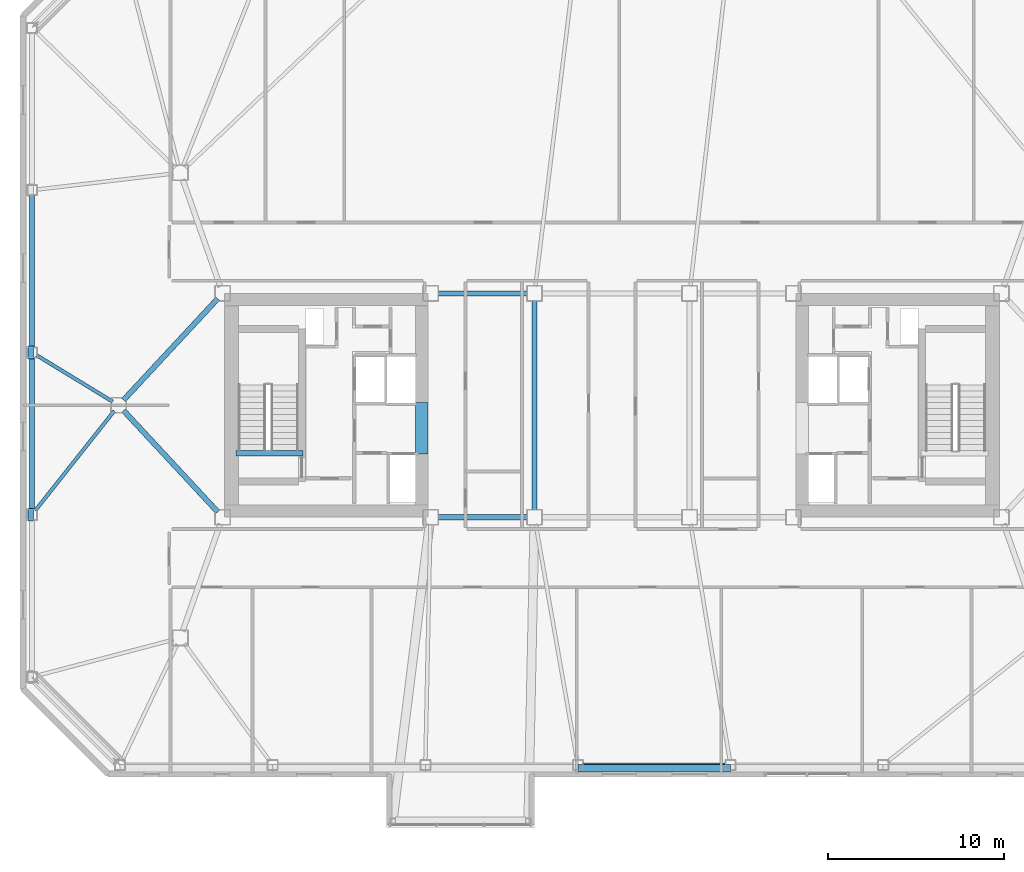
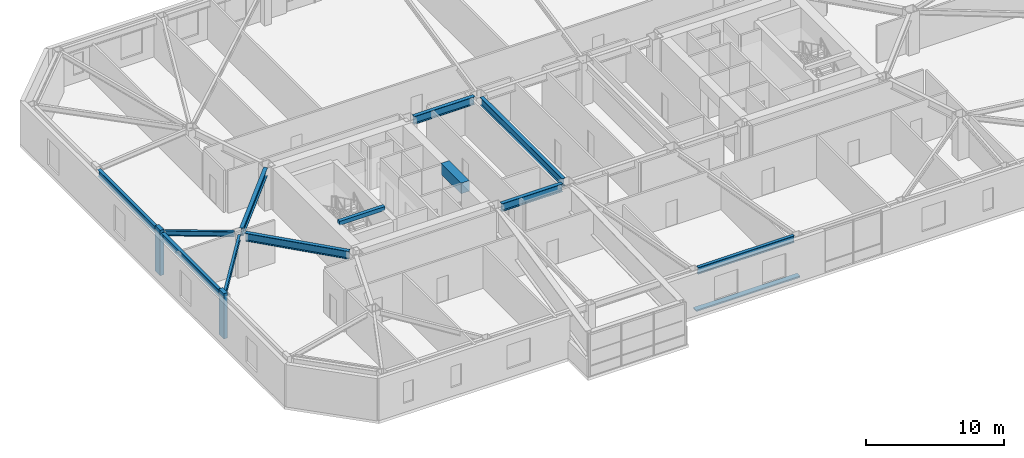
# One storey, part 4 of 19: 12 beams, 3 members.
"""IFC4 building model written with IfcOpenShell, lengths in metres."""

from ifc_helpers import new_model, si_unit, direction, frame, origin, origin_2d, place, context, subcontext, project, spatial, rectangle, i_section, extrude, material, material_profile, profile_set, type_object, element, save


model = new_model("IFC4")

# Units and contexts
model_context = context("Model", 3, precision=1e-05, world=origin(), true_north=direction((0.0, 1.0)))
body_context = subcontext(model_context, "Body", "Model", "MODEL_VIEW")
ifc_project = project(units=[si_unit("LENGTHUNIT", "METRE"), si_unit("AREAUNIT", "SQUARE_METRE"), si_unit("VOLUMEUNIT", "CUBIC_METRE"), si_unit("PLANEANGLEUNIT", "RADIAN"), si_unit("MASSUNIT", "GRAM", prefix="KILO")], contexts=[model_context])

# Site, building, storey
site_placement = place(None, origin())
site = spatial("IfcSite", under=ifc_project, at=site_placement, CompositionType="ELEMENT")
building_placement = place(site_placement, origin())
building = spatial("IfcBuilding", under=site, at=building_placement, Name="Tavrogorsk Clinical Tower", CompositionType="ELEMENT")
storey_placement = place(building_placement, frame((0.0, 0.0, 156.199951171875)))
storey = spatial("IfcBuildingStorey", under=building, at=storey_placement, Name="L35", CompositionType="ELEMENT", Elevation=156.199951171875)

# Member
ifc_material_1 = material(Name="Anodised aluminium alloy AW-6063", Category="aluminium")
ifc_material_profile_1 = material_profile(ifc_material_1, rectangle(XDim=0.449951171875, YDim=0.1201171875, at=origin_2d()), Name="ALU-SUNSHADE-450x120")
ifc_profile_set_1 = profile_set([ifc_material_profile_1], Name="Anodised aluminium alloy AW-6063")
member_type_1 = type_object("IfcMemberType", Name="ChicagoSunshade_450x120", PredefinedType="USERDEFINED", material=ifc_profile_set_1)
member_placement = place(storey_placement, frame((-1.931396484375, -20.60009765625, 0.179931640625), z_axis=(1.0, 0.0, 0.0), x_axis=(0.0, 1.0, 0.0)))
element("IfcMember", 1, at=member_placement, inside=storey, type_object=member_type_1, Name="L35 South Aluminium Sunshade S4", ObjectType="SUNSHADE", PredefinedType="USERDEFINED", context=body_context, shape_type="SweptSolid", body=[
    extrude(rectangle(XDim=0.449951171875, YDim=0.1201171875, at=origin_2d()), origin(), (0.0, 0.0, 1.0), 8.662841796875),
])

# Beams
ifc_material_2 = material(Name="Concrete B80", Category="concrete")
ifc_material_profile_2 = material_profile(ifc_material_2, rectangle(XDim=0.699951171875, YDim=0.949951171875, at=origin_2d()), Name="RC-CB-700x950")
ifc_profile_set_2 = profile_set([ifc_material_profile_2], Name="Concrete B80")
beam_type_1 = type_object("IfcBeamType", Name="CouplingBeam_RC700x950", PredefinedType="LINTEL", material=ifc_profile_set_2)
beam_1_placement = place(storey_placement, frame((-10.800048828125, -2.75, 3.26513671875), z_axis=(0.0, 1.0, 0.0), x_axis=(-1.0, 0.0, 0.0)))
element("IfcBeam", 2, at=beam_1_placement, inside=storey, type_object=beam_type_1, Name="L35 Core West Coupling Beam", PredefinedType="LINTEL", context=body_context, shape_type="SweptSolid", body=[
    extrude(rectangle(XDim=0.699951171875, YDim=0.949951171875, at=origin_2d()), origin(), (0.0, 0.0, 1.0), 2.89990234375),
])
ifc_material_3 = material(Name="Structural steel S355", Category="steel")
ifc_material_profile_3 = material_profile(ifc_material_3, i_section(OverallWidth=0.199951171875, OverallDepth=0.449951171875, WebThickness=0.011474609375, FlangeThickness=0.01806640625, at=origin_2d()), Name="B-450x200x11.5x18")
ifc_profile_set_3 = profile_set([ifc_material_profile_3], Name="Structural steel S355")
beam_type_2 = type_object("IfcBeamType", Name="FloorBeam_B450", PredefinedType="BEAM", material=ifc_profile_set_3)
beam_2_placement = place(storey_placement, frame((-28.35009765625, 0.21337890625, 3.51513671875), z_axis=(-0.853789879369, 0.520617750262, 0.0), x_axis=(-0.520617750262, -0.853789879369, 0.0)))
element("IfcBeam", 3, at=beam_2_placement, inside=storey, type_object=beam_type_2, Name="L35 Radial Floor Beam W3", PredefinedType="BEAM", context=body_context, shape_type="SweptSolid", body=[
    extrude(i_section(OverallWidth=0.199951171875, OverallDepth=0.449951171875, WebThickness=0.011474609375, FlangeThickness=0.01806640625, at=origin_2d()), origin(), (0.0, 0.0, 1.0), 5.04443359375),
])
beam_3_placement = place(storey_placement, frame((-28.254638671875, -0.3212890625, 3.51513671875), z_axis=(-0.620993662543, -0.783815584868, 0.0), x_axis=(0.783815584868, -0.620993662543, 0.0)))
element("IfcBeam", 4, at=beam_3_placement, inside=storey, type_object=beam_type_2, Name="L35 Radial Floor Beam W4", PredefinedType="BEAM", context=body_context, shape_type="SweptSolid", body=[
    extrude(i_section(OverallWidth=0.199951171875, OverallDepth=0.449951171875, WebThickness=0.011474609375, FlangeThickness=0.01806640625, at=origin_2d()), origin(), (0.0, 0.0, 1.0), 7.204833984375),
])

# Members
ifc_material_4 = material(Name="Precast concrete B45 with limestone cladding", Category="masonry")
ifc_material_profile_4 = material_profile(ifc_material_4, rectangle(XDim=0.320068359375, YDim=0.719970703125, at=origin_2d()), Name="LIMESTONE-FIN-320x720")
ifc_profile_set_4 = profile_set([ifc_material_profile_4], Name="Precast concrete B45 with limestone cladding")
member_type_2 = type_object("IfcMemberType", Name="LimestonePleatFin_320x720", PredefinedType="USERDEFINED", material=ifc_profile_set_4)
for number, where, z_axis, x_axis, name in (
    (5, (-33.0, 3.0, 0.0), (0.0, 0.0, 1.0), (1.0, 0.0, 0.0), "L35 W Pleated Stone Fin 2"),
    (6, (-33.0, -6.2099609375, 0.0), (0.0, 0.0, 1.0), (1.0, 0.0, 0.0), "L35 W Pleated Stone Fin 3"),
):
    element("IfcMember", number, at=place(storey_placement, frame(where, z_axis=z_axis, x_axis=x_axis)), inside=storey, type_object=member_type_2, Name=name, ObjectType="FIN", PredefinedType="USERDEFINED", context=body_context, shape_type="SweptSolid", body=[
        extrude(rectangle(XDim=0.320068359375, YDim=0.719970703125, at=origin_2d()), origin(), (0.0, 0.0, 1.0), 4.0),
    ])

# Beams
ifc_material_5 = material(Name="Structural steel S390", Category="steel")
ifc_material_profile_5 = material_profile(ifc_material_5, i_section(OverallWidth=0.300048828125, OverallDepth=0.699951171875, WebThickness=0.01708984375, FlangeThickness=0.028076171875, at=origin_2d()), Name="B-700x300x17x28")
ifc_profile_set_5 = profile_set([ifc_material_profile_5], Name="Structural steel S390")
beam_type_3 = type_object("IfcBeamType", Name="PrimaryGirder_B700", PredefinedType="USERDEFINED", material=ifc_profile_set_5)
for number, where, z_axis, x_axis, name in (
    (7, (-9.889892578125, -6.35009765625, 3.39013671875), (1.0, 0.0, 0.0), (0.0, 1.0, 0.0), "L35 Primary Spine Girder MG-01"),
    (8, (-9.889892578125, 6.35009765625, 3.39013671875), (1.0, 0.0, 0.0), (0.0, 1.0, 0.0), "L35 Primary Spine Girder MG-02"),
):
    element("IfcBeam", number, at=place(storey_placement, frame(where, z_axis=z_axis, x_axis=x_axis)), inside=storey, type_object=beam_type_3, Name=name, ObjectType="GIRDER", PredefinedType="USERDEFINED", context=body_context, shape_type="SweptSolid", body=[
        extrude(i_section(OverallWidth=0.300048828125, OverallDepth=0.699951171875, WebThickness=0.01708984375, FlangeThickness=0.028076171875, at=origin_2d()), origin(), (0.0, 0.0, 1.0), 5.079833984375),
    ])
beam_4_placement = place(storey_placement, frame((-4.39990234375, -5.93994140625, 3.39013671875), z_axis=(0.0, 1.0, 0.0), x_axis=(-1.0, 0.0, 0.0)))
element("IfcBeam", 9, at=beam_4_placement, inside=storey, type_object=beam_type_3, Name="L35 Primary Spine Girder MG-07", ObjectType="GIRDER", PredefinedType="USERDEFINED", context=body_context, shape_type="SweptSolid", body=[
    extrude(i_section(OverallWidth=0.300048828125, OverallDepth=0.699951171875, WebThickness=0.01708984375, FlangeThickness=0.028076171875, at=origin_2d()), origin(), (0.0, 0.0, 1.0), 11.8798828125),
])
for number, where, z_axis, x_axis, name in (
    (10, (-27.720947265625, -0.30029296875, 3.39013671875), (0.680669430215, -0.732590695253, 0.0), (0.732590695253, 0.680669430215, 0.0), "L35 Spine Link Girder OPG-5"),
    (11, (-27.720947265625, 0.30029296875, 3.39013671875), (0.680669430215, 0.732590695253, 0.0), (-0.732590695253, 0.680669430215, 0.0), "L35 Spine Link Girder OPG-6"),
):
    element("IfcBeam", number, at=place(storey_placement, frame(where, z_axis=z_axis, x_axis=x_axis)), inside=storey, type_object=beam_type_3, Name=name, ObjectType="GIRDER", PredefinedType="USERDEFINED", context=body_context, shape_type="SweptSolid", body=[
        extrude(i_section(OverallWidth=0.300048828125, OverallDepth=0.699951171875, WebThickness=0.01708984375, FlangeThickness=0.028076171875, at=origin_2d()), origin(), (0.0, 0.0, 1.0), 7.847900390625),
    ])
ifc_material_6 = material(Name="Structural steel S390", Category="steel")
ifc_material_profile_6 = material_profile(ifc_material_6, i_section(OverallWidth=0.260009765625, OverallDepth=0.60009765625, WebThickness=0.014892578125, FlangeThickness=0.02392578125, at=origin_2d()), Name="B-600x260x15x24")
ifc_profile_set_6 = profile_set([ifc_material_profile_6], Name="Structural steel S390")
beam_type_4 = type_object("IfcBeamType", Name="SpandrelBeam_B600", PredefinedType="SPANDREL", material=ifc_profile_set_6)
beam_5_placement = place(storey_placement, frame((-1.623291015625, -20.419921875, 3.43994140625), z_axis=(1.0, 0.0, 0.0), x_axis=(0.0, 1.0, 0.0)))
element("IfcBeam", 12, at=beam_5_placement, inside=storey, type_object=beam_type_4, Name="L35 Perimeter Spandrel S4-S5", PredefinedType="SPANDREL", context=body_context, shape_type="SweptSolid", body=[
    extrude(i_section(OverallWidth=0.260009765625, OverallDepth=0.60009765625, WebThickness=0.014892578125, FlangeThickness=0.02392578125, at=origin_2d()), origin(), (0.0, 0.0, 1.0), 8.046630859375),
])
for number, where, z_axis, x_axis, name in (
    (13, (-32.919921875, 11.902099609375, 3.43994140625), (0.0, -1.0, 0.0), (1.0, 0.0, 0.0), "L35 Perimeter Spandrel W2-W3"),
    (14, (-32.919921875, 2.69189453125, 3.43994140625), (0.0, -1.0, 0.0), (1.0, 0.0, 0.0), "L35 Perimeter Spandrel W3-W4"),
):
    element("IfcBeam", number, at=place(storey_placement, frame(where, z_axis=z_axis, x_axis=x_axis)), inside=storey, type_object=beam_type_4, Name=name, PredefinedType="SPANDREL", context=body_context, shape_type="SweptSolid", body=[
        extrude(i_section(OverallWidth=0.260009765625, OverallDepth=0.60009765625, WebThickness=0.014892578125, FlangeThickness=0.02392578125, at=origin_2d()), origin(), (0.0, 0.0, 1.0), 8.593994140625),
    ])
ifc_material_7 = material(Name="Concrete B60", Category="concrete")
ifc_material_profile_7 = material_profile(ifc_material_7, rectangle(XDim=0.300048828125, YDim=0.35009765625, at=origin_2d()), Name="RC-SHB-300x350")
ifc_profile_set_7 = profile_set([ifc_material_profile_7], Name="Concrete B60")
beam_type_5 = type_object("IfcBeamType", Name="StairHeaderBeam_RC300x350", PredefinedType="BEAM", material=ifc_profile_set_7)
beam_6_placement = place(storey_placement, frame((-21.35009765625, -2.719970703125, 3.824951171875), z_axis=(1.0, 0.0, 0.0), x_axis=(0.0, 1.0, 0.0)))
element("IfcBeam", 15, at=beam_6_placement, inside=storey, type_object=beam_type_5, Name="L36 ST-W Landing Header Beam", PredefinedType="BEAM", context=body_context, shape_type="SweptSolid", body=[
    extrude(rectangle(XDim=0.300048828125, YDim=0.35009765625, at=origin_2d()), origin(), (0.0, 0.0, 1.0), 3.800048828125),
])

save(model, "model.ifc")
